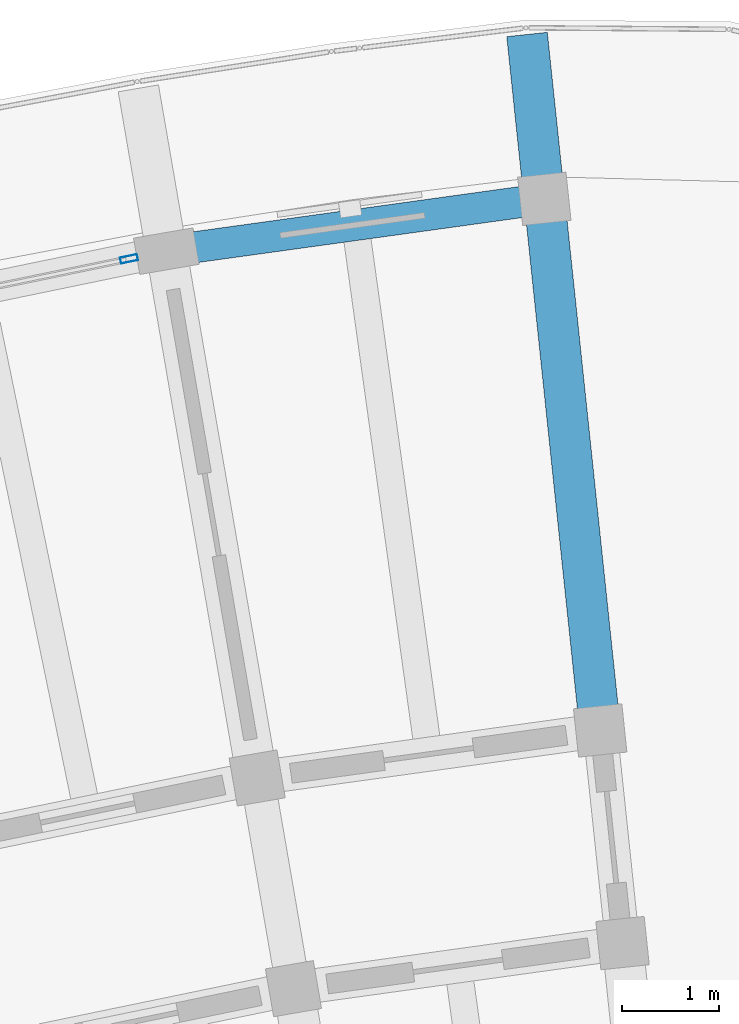
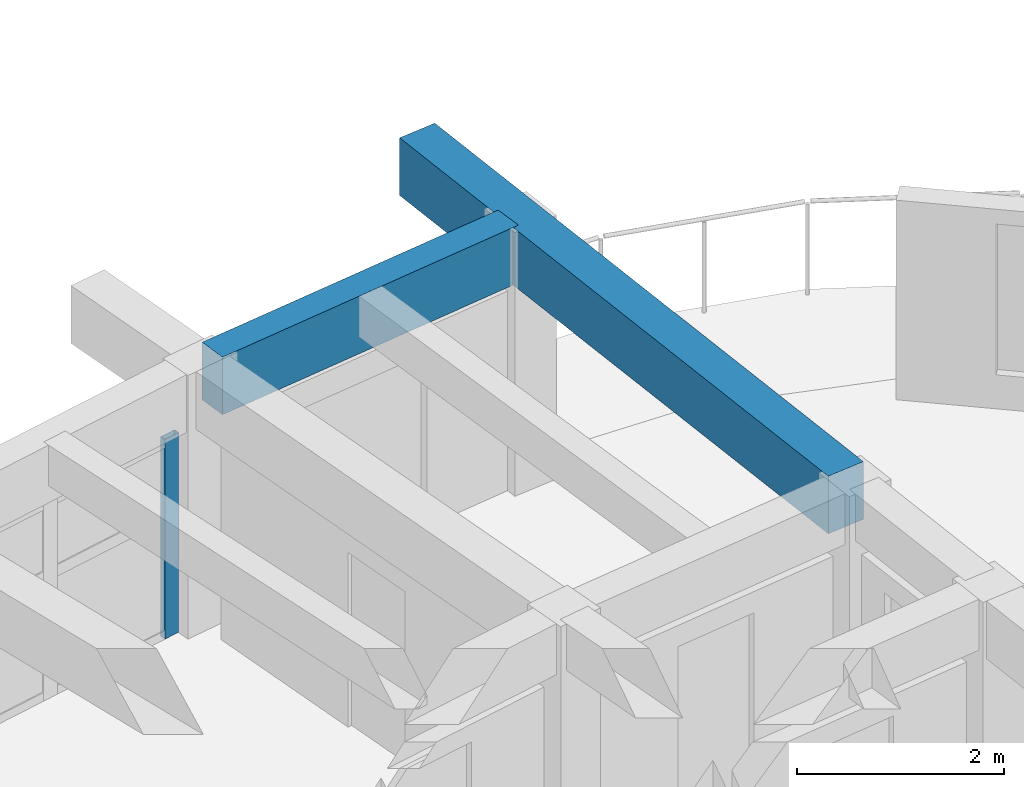
# One storey, part 18 of 83: 2 beams, 1 member, 1 element without a shape of its own.
"""IFC4 building model written with IfcOpenShell, lengths in metres."""

from ifc_helpers import new_model, si_unit, direction, frame, origin, origin_2d, place, context, subcontext, project, spatial, rectangle, hollow_rectangle, extrude, material, material_profile, profile_set, type_object, element, aggregate, save


model = new_model("IFC4")

# Units and contexts
model_context = context("Model", 3, precision=1e-05, world=origin(), true_north=direction((0.0, 1.0)))
body_context = subcontext(model_context, "Body", "Model", "MODEL_VIEW")
ifc_project = project(units=[si_unit("LENGTHUNIT", "METRE"), si_unit("AREAUNIT", "SQUARE_METRE"), si_unit("VOLUMEUNIT", "CUBIC_METRE"), si_unit("PLANEANGLEUNIT", "RADIAN"), si_unit("MASSUNIT", "GRAM", prefix="KILO")], contexts=[model_context])

# Site, building, storey
site_placement = place(None, origin())
site = spatial("IfcSite", under=ifc_project, at=site_placement, CompositionType="ELEMENT")
building_placement = place(site_placement, origin())
building = spatial("IfcBuilding", under=site, at=building_placement, Name="Tanwirah Colonnade Gardens", CompositionType="ELEMENT")
storey_placement = place(building_placement, frame((0.0, 0.0, 25.639892578125)))
storey = spatial("IfcBuildingStorey", under=building, at=storey_placement, Name="L07", CompositionType="ELEMENT", Elevation=25.639892578125)

# Beam
ifc_material_1 = material(Name="Precast concrete C45/55", Category="concrete")
ifc_material_profile_1 = material_profile(ifc_material_1, rectangle(XDim=0.419921875, YDim=0.679931640625, at=origin_2d()), Name="PC-BM 420x680")
ifc_profile_set_1 = profile_set([ifc_material_profile_1], Name="Precast concrete C45/55")
beam_type_1 = type_object("IfcBeamType", Name="BM-PC420", PredefinedType="BEAM", material=ifc_profile_set_1)
beam_1_placement = place(storey_placement, frame((59.33447265625, 114.10302734375, 2.77001953125), z_axis=(-0.104511730475, 0.994523653913, 0.0), x_axis=(-0.994523653913, -0.104511730475, 0.0)))
element("IfcBeam", 1, at=beam_1_placement, inside=storey, type_object=beam_type_1, Name="Block A L07 Outer Radial Precast Girder 0", PredefinedType="BEAM", context=body_context, shape_type="SweptSolid", body=[
    extrude(rectangle(XDim=0.419921875, YDim=0.679931640625, at=origin_2d()), origin(), (0.0, 0.0, 1.0), 7.050048828125),
])

# Curtain wall, member
ifc_material_2 = material(Name="Bronze-anodised aluminium and solar-control low-E glass", Category="aluminium")
curtain_wall_type = type_object("IfcCurtainWallType", Name="CW-LOB", PredefinedType="NOTDEFINED", material=ifc_material_2)
curtain_wall_placement = place(storey_placement, origin())
curtain_wall = element("IfcCurtainWall", 2, at=curtain_wall_placement, inside=storey, type_object=curtain_wall_type, Name="Curtain Wall CW-A-L07-OUT-01", PredefinedType="NOTDEFINED")
ifc_material_3 = material(Name="Bronze-anodised aluminium", Category="aluminium")
ifc_material_profile_2 = material_profile(ifc_material_3, hollow_rectangle(XDim=0.06494140625, YDim=0.179931640625, WallThickness=0.00390625, at=origin_2d()), Name="CW-MUL 65x180x4")
ifc_profile_set_2 = profile_set([ifc_material_profile_2], Name="Bronze-anodised aluminium")
member_type = type_object("IfcMemberType", Name="CWM-65x180", PredefinedType="MULLION", material=ifc_profile_set_2)
member_placement = place(storey_placement, frame((54.50244140625, 118.8056640625, 0.0), z_axis=(0.0, 0.0, 1.0), x_axis=(0.202218047772, -0.979340523595, 0.0)))
member = element("IfcMember", 3, at=member_placement, type_object=member_type, Name="CW-LOB mullion 1", PredefinedType="MULLION", context=body_context, shape_type="SweptSolid", body=[
    extrude(hollow_rectangle(XDim=0.06494140625, YDim=0.179931640625, WallThickness=0.00390625, at=origin_2d()), origin(), (0.0, 0.0, 1.0), 2.355224609375),
])
aggregate(curtain_wall, [member])

# Beam
ifc_material_profile_3 = material_profile(ifc_material_1, rectangle(XDim=0.320068359375, YDim=0.679931640625, at=origin_2d()), Name="PC-SP 320x680")
ifc_profile_set_3 = profile_set([ifc_material_profile_3], Name="Precast concrete C45/55")
beam_type_2 = type_object("IfcBeamType", Name="SP-PC320", PredefinedType="SPANDREL", material=ifc_profile_set_3)
beam_2_placement = place(storey_placement, frame((58.626708984375, 119.403076171875, 2.77001953125), z_axis=(-0.990538603978, -0.137234376268, 0.0), x_axis=(0.137234376268, -0.990538603978, 0.0)))
element("IfcBeam", 4, at=beam_2_placement, inside=storey, type_object=beam_type_2, Name="Block A L07 Circumferential Beam 0-R3", PredefinedType="SPANDREL", context=body_context, shape_type="SweptSolid", body=[
    extrude(rectangle(XDim=0.320068359375, YDim=0.679931640625, at=origin_2d()), origin(), (0.0, 0.0, 1.0), 3.625732421875),
])

save(model, "model.ifc")
